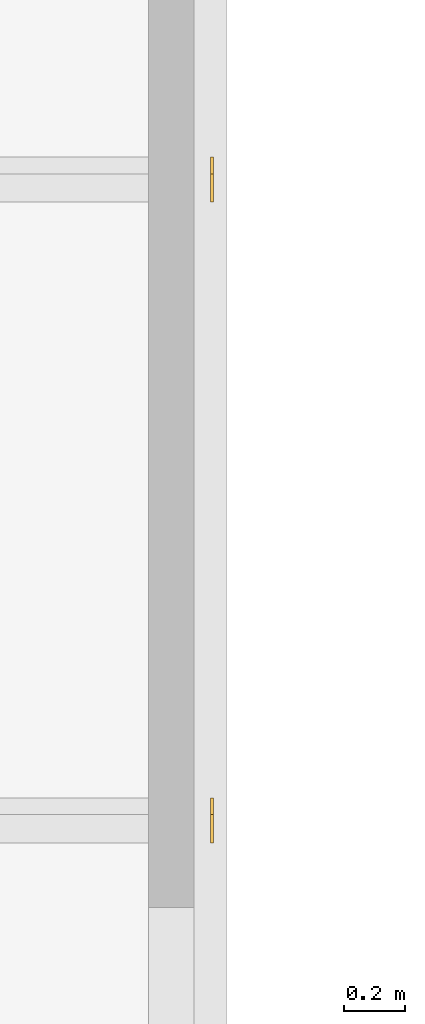
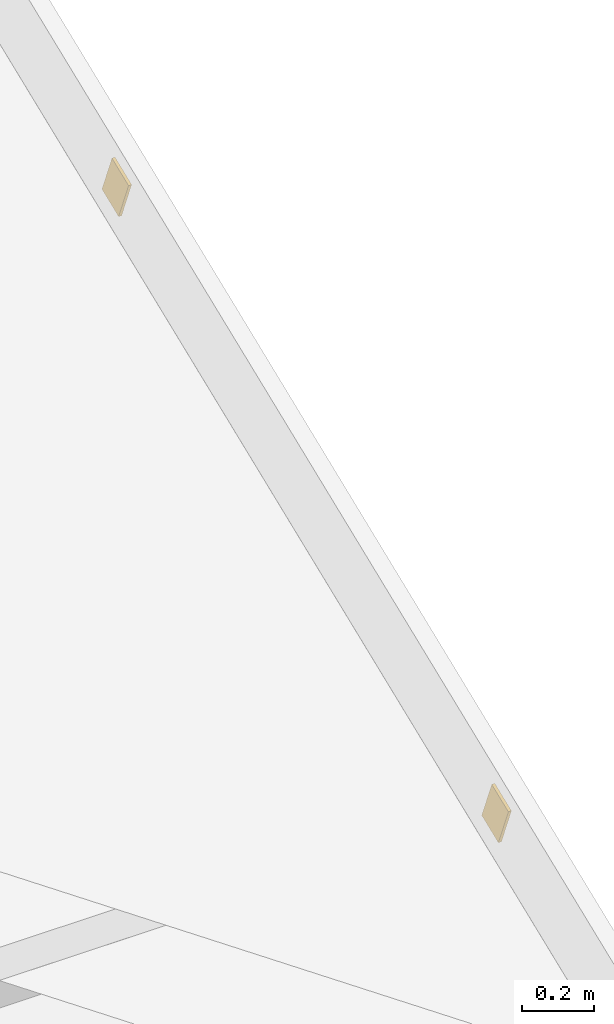
# One storey, part 102 of 109: 2 coverings.
"""IFC4 building model written with IfcOpenShell, lengths in metres."""

from ifc_helpers import new_model, si_unit, direction, frame, origin, place, context, subcontext, project, spatial, polyline, outline, extrude, material, material_profile, profile_set, type_object, element, save


model = new_model("IFC4")

# Units and contexts
model_context = context("Model", 3, precision=1e-05, world=origin(), true_north=direction((0.0, 1.0)))
body_context = subcontext(model_context, "Body", "Model", "MODEL_VIEW")
ifc_project = project(units=[si_unit("LENGTHUNIT", "METRE"), si_unit("AREAUNIT", "SQUARE_METRE"), si_unit("VOLUMEUNIT", "CUBIC_METRE"), si_unit("PLANEANGLEUNIT", "RADIAN"), si_unit("MASSUNIT", "GRAM", prefix="KILO")], contexts=[model_context])

# Site, building, storey
site_placement = place(None, origin())
site = spatial("IfcSite", under=ifc_project, at=site_placement, CompositionType="ELEMENT")
building_placement = place(site_placement, origin())
building = spatial("IfcBuilding", under=site, at=building_placement, Name="Lantern Court Research Institute", CompositionType="ELEMENT")
storey_placement = place(building_placement, frame((0.0, 0.0, 14.39990234375)))
storey = spatial("IfcBuildingStorey", under=building, at=storey_placement, Name="L03", CompositionType="ELEMENT", Elevation=14.39990234375)

# Coverings
ifc_material = material(Name="Structural steel S355", Category="steel")
ifc_material_profile = material_profile(ifc_material, outline(polyline([(-0.050048828125, -0.074951171875), (0.050048828125, -0.074951171875), (0.050048828125, 0.074951171875), (-0.050048828125, 0.074951171875), (-0.050048828125, -0.074951171875)])), Name="Purlin end cap 150 x 100 x 10")
ifc_profile_set = profile_set([ifc_material_profile], Name="Structural steel S355")
covering_type = type_object("IfcCoveringType", Name="Purlin end cap 150 x 100 x 10", PredefinedType="MOLDING", material=ifc_profile_set)
for number, where, z_axis, x_axis, name in (
    (1, (26.39990234375, 51.76953125, 1.0478515625), (1.0, 0.0, 0.0), (0.0, 0.928476694038, 0.371390668473), "Purlin end cap"),
    (2, (26.39990234375, 53.88623046875, 1.89453125), (1.0, 0.0, 0.0), (0.0, 0.928476694038, 0.371390668473), "Purlin end cap"),
):
    element("IfcCovering", number, at=place(storey_placement, frame(where, z_axis=z_axis, x_axis=x_axis)), inside=storey, type_object=covering_type, Name=name, PredefinedType="MOLDING", context=body_context, shape_type="SweptSolid", body=[
        extrude(outline(polyline([(-0.050048828125, -0.074951171875), (0.050048828125, -0.074951171875), (0.050048828125, 0.074951171875), (-0.050048828125, 0.074951171875), (-0.050048828125, -0.074951171875)])), origin(), (0.0, 0.0, 1.0), 0.010009765625),
    ])

save(model, "model.ifc")
